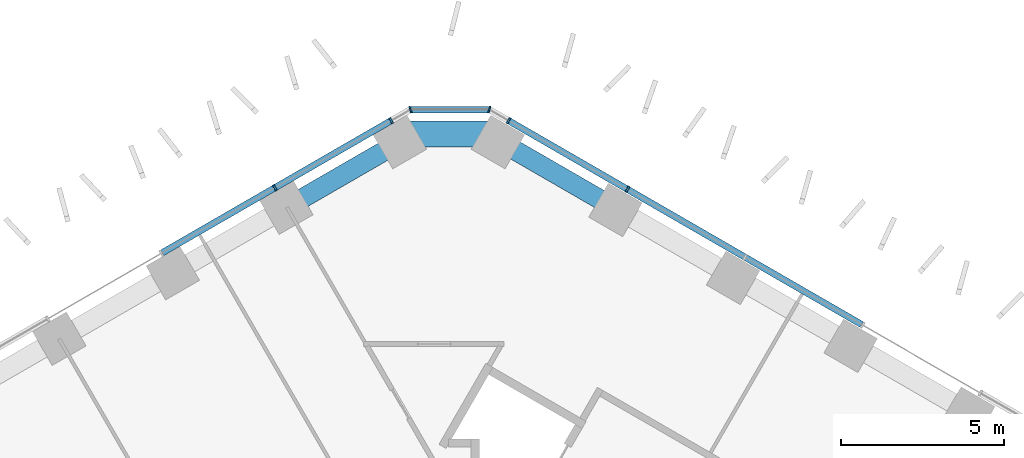
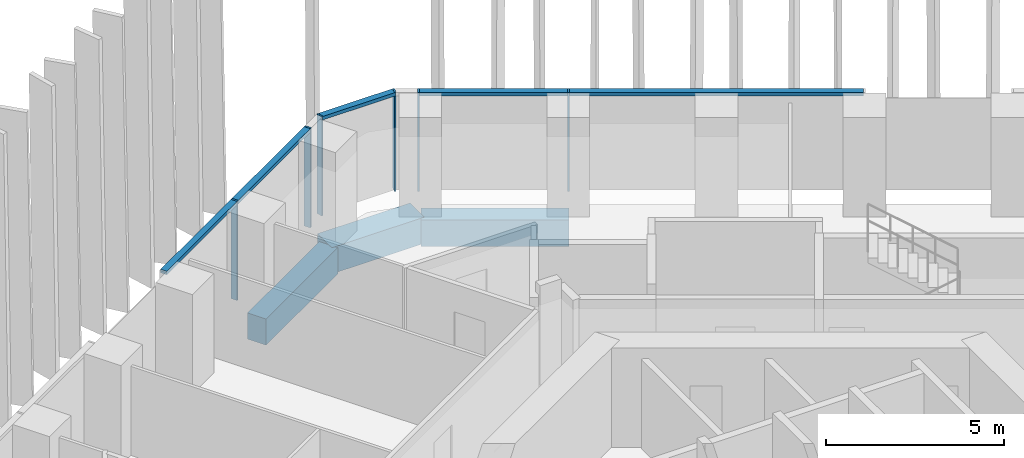
# One storey, part 6 of 20: 9 members, 3 beams, 3 elements without a shape of their own.
"""IFC4 building model written with IfcOpenShell, lengths in metres."""

from ifc_helpers import new_model, si_unit, direction, frame, origin, origin_2d, place, context, subcontext, project, spatial, rectangle, extrude, material, layer, layer_set, material_profile, profile_set, type_object, element, aggregate, save


model = new_model("IFC4")

# Units and contexts
model_context = context("Model", 3, precision=1e-05, world=origin(), true_north=direction((0.0, 1.0)))
body_context = subcontext(model_context, "Body", "Model", "MODEL_VIEW")
ifc_project = project(units=[si_unit("LENGTHUNIT", "METRE"), si_unit("AREAUNIT", "SQUARE_METRE"), si_unit("VOLUMEUNIT", "CUBIC_METRE"), si_unit("PLANEANGLEUNIT", "RADIAN"), si_unit("MASSUNIT", "GRAM", prefix="KILO")], contexts=[model_context])

# Site, building, storey
site_placement = place(None, origin())
site = spatial("IfcSite", under=ifc_project, at=site_placement, CompositionType="ELEMENT")
building_placement = place(site_placement, origin())
building = spatial("IfcBuilding", under=site, at=building_placement, Name="Ayvan Gate Tower", CompositionType="ELEMENT")
storey_placement = place(building_placement, frame((0.0, 0.0, 35.699951171875)))
storey = spatial("IfcBuildingStorey", under=building, at=storey_placement, Name="L08", CompositionType="ELEMENT", Elevation=35.699951171875)

# Beams
ifc_material_1 = material(Name="Concrete C40/50", Category="concrete")
ifc_material_profile_1 = material_profile(ifc_material_1, rectangle(XDim=0.800048828125, YDim=0.89990234375, at=origin_2d()), Name="RC 800x900")
ifc_profile_set_1 = profile_set([ifc_material_profile_1], Name="Concrete C40/50")
beam_type_1 = type_object("IfcBeamType", Name="Corner spandrel beam RC 800x900 C40/50", PredefinedType="BEAM", material=ifc_profile_set_1)
beam_1_placement = place(storey_placement, frame((1.3359375, 23.25927734375, -0.800048828125), z_axis=(-1.0, 0.0, 0.0), x_axis=(0.0, -1.0, 0.0)))
element("IfcBeam", 1, at=beam_1_placement, inside=storey, type_object=beam_type_1, Name="SB-L08-12", PredefinedType="BEAM", context=body_context, shape_type="SweptSolid", body=[
    extrude(rectangle(XDim=0.800048828125, YDim=0.89990234375, at=origin_2d()), origin(), (0.0, 0.0, 1.0), 3.0),
])
ifc_material_profile_2 = material_profile(ifc_material_1, rectangle(XDim=0.60009765625, YDim=0.89990234375, at=origin_2d()), Name="RC 600x900")
ifc_profile_set_2 = profile_set([ifc_material_profile_2], Name="Concrete C40/50")
beam_type_2 = type_object("IfcBeamType", Name="Spandrel beam RC 600x900 C40/50", PredefinedType="BEAM", material=ifc_profile_set_2)
beam_2_placement = place(storey_placement, frame((4.92578125, 20.966796875, -0.800048828125), z_axis=(-0.866034543039, 0.499984170012, 0.0), x_axis=(-0.499984170012, -0.866034543039, 0.0)))
element("IfcBeam", 2, at=beam_2_placement, inside=storey, type_object=beam_type_2, Name="SB-L08-11", PredefinedType="BEAM", context=body_context, shape_type="SweptSolid", body=[
    extrude(rectangle(XDim=0.60009765625, YDim=0.89990234375, at=origin_2d()), origin(), (0.0, 0.0, 1.0), 4.145263671875),
])
beam_3_placement = place(storey_placement, frame((-1.6640625, 23.039306640625, -0.800048828125), z_axis=(-0.866002034136, -0.500040475235, 0.0), x_axis=(0.500040475235, -0.866002034136, 0.0)))
element("IfcBeam", 3, at=beam_3_placement, inside=storey, type_object=beam_type_2, Name="SB-L08-13", PredefinedType="BEAM", context=body_context, shape_type="SweptSolid", body=[
    extrude(rectangle(XDim=0.60009765625, YDim=0.89990234375, at=origin_2d()), origin(), (0.0, 0.0, 1.0), 4.031494140625),
])

# Curtain wall, members
ifc_material_2 = material(Name="Bronze anodised aluminium", Category="aluminium")
ifc_layer_1 = layer(ifc_material_2, 0.199951171875)
ifc_layer_set_1 = layer_set([ifc_layer_1], Name="Bronze anodised aluminium")
curtain_wall_type_1 = type_object("IfcCurtainWallType", Name="Stick curtain wall CW-1", PredefinedType="NOTDEFINED", material=ifc_layer_set_1)
curtain_wall_1_placement = place(storey_placement, origin())
curtain_wall_1 = element("IfcCurtainWall", 4, at=curtain_wall_1_placement, inside=storey, type_object=curtain_wall_type_1, Name="Stick curtain wall CW-1 L08", PredefinedType="NOTDEFINED")
ifc_material_profile_3 = material_profile(ifc_material_2, rectangle(XDim=0.199951171875, YDim=0.06005859375, at=origin_2d()), Name="Stick curtain wall CW-1 mullion 200 x 60")
ifc_profile_set_3 = profile_set([ifc_material_profile_3], Name="Bronze anodised aluminium")
member_type_1 = type_object("IfcMemberType", Name="Stick curtain wall CW-1 mullion 200 x 60", PredefinedType="MULLION", material=ifc_profile_set_3)
member_1_placement = place(storey_placement, frame((-1.97412109375, 23.66845703125, 0.0), z_axis=(0.0, 0.0, 1.0), x_axis=(-0.5, 0.866025403784, 0.0)))
member_1 = element("IfcMember", 5, at=member_1_placement, type_object=member_type_1, Name="CW-1 mullion 1", PredefinedType="MULLION", context=body_context, shape_type="SweptSolid", body=[
    extrude(rectangle(XDim=0.199951171875, YDim=0.06005859375, at=origin_2d()), origin(), (0.0, 0.0, 1.0), 3.400146484375),
])
member_2_placement = place(storey_placement, frame((-5.53173828125, 21.614501953125, 0.0), z_axis=(0.0, 0.0, 1.0), x_axis=(-0.5, 0.866025403784, 0.0)))
member_2 = element("IfcMember", 6, at=member_2_placement, type_object=member_type_1, Name="CW-1 mullion 2", PredefinedType="MULLION", context=body_context, shape_type="SweptSolid", body=[
    extrude(rectangle(XDim=0.199951171875, YDim=0.06005859375, at=origin_2d()), origin(), (0.0, 0.0, 1.0), 3.400146484375),
])

curtain_wall_2_placement = place(storey_placement, origin())
curtain_wall_2 = element("IfcCurtainWall", 7, at=curtain_wall_2_placement, inside=storey, type_object=curtain_wall_type_1, Name="Stick curtain wall CW-1 L08", PredefinedType="NOTDEFINED")
member_3_placement = place(storey_placement, frame((5.25537109375, 21.568603515625, 0.0), z_axis=(0.0, 0.0, 1.0), x_axis=(0.5, 0.866025403784, 0.0)))
member_3 = element("IfcMember", 8, at=member_3_placement, type_object=member_type_1, Name="CW-1 mullion 5", PredefinedType="MULLION", context=body_context, shape_type="SweptSolid", body=[
    extrude(rectangle(XDim=0.199951171875, YDim=0.06005859375, at=origin_2d()), origin(), (0.0, 0.0, 1.0), 3.400146484375),
])
member_4_placement = place(storey_placement, frame((1.6181640625, 23.66845703125, 0.0), z_axis=(0.0, 0.0, 1.0), x_axis=(0.5, 0.866025403784, 0.0)))
member_4 = element("IfcMember", 9, at=member_4_placement, type_object=member_type_1, Name="CW-1 mullion 6", PredefinedType="MULLION", context=body_context, shape_type="SweptSolid", body=[
    extrude(rectangle(XDim=0.199951171875, YDim=0.06005859375, at=origin_2d()), origin(), (0.0, 0.0, 1.0), 3.400146484375),
])

# Member
ifc_material_profile_4 = material_profile(ifc_material_2, rectangle(XDim=0.199951171875, YDim=0.1201171875, at=origin_2d()), Name="Stick curtain wall CW-1 transom 200 x 120")
ifc_profile_set_4 = profile_set([ifc_material_profile_4], Name="Bronze anodised aluminium")
member_type_2 = type_object("IfcMemberType", Name="Stick curtain wall CW-1 transom 200 x 120", PredefinedType="USERDEFINED", material=ifc_profile_set_4)
member_5_placement = place(storey_placement, frame((-1.97412109375, 23.66845703125, 3.340087890625), z_axis=(-0.866031789557, -0.499988939354, 0.0), x_axis=(0.499988939354, -0.866031789557, 0.0)))
member_5 = element("IfcMember", 10, at=member_5_placement, type_object=member_type_2, Name="CW-1 transom 1", ObjectType="TRANSOM", PredefinedType="USERDEFINED", context=body_context, shape_type="SweptSolid", body=[
    extrude(rectangle(XDim=0.199951171875, YDim=0.1201171875, at=origin_2d()), origin(), (0.0, 0.0, 1.0), 8.089111328125),
])

aggregate(curtain_wall_1, [member_1, member_2, member_5])

member_6_placement = place(storey_placement, frame((12.4267578125, 17.427978515625, 3.340087890625), z_axis=(-0.866020754537, 0.500008052646, 0.0), x_axis=(-0.500008052646, -0.866020754537, 0.0)))
member_6 = element("IfcMember", 11, at=member_6_placement, type_object=member_type_2, Name="CW-1 transom 2", ObjectType="TRANSOM", PredefinedType="USERDEFINED", context=body_context, shape_type="SweptSolid", body=[
    extrude(rectangle(XDim=0.199951171875, YDim=0.1201171875, at=origin_2d()), origin(), (0.0, 0.0, 1.0), 12.480712890625),
])

aggregate(curtain_wall_2, [member_3, member_4, member_6])

# Curtain wall, members
ifc_layer_2 = layer(ifc_material_2, 0.199951171875)
ifc_layer_set_2 = layer_set([ifc_layer_2], Name="Bronze anodised aluminium")
curtain_wall_type_2 = type_object("IfcCurtainWallType", Name="Stick curtain wall CW-6", PredefinedType="NOTDEFINED", material=ifc_layer_set_2)
curtain_wall_3_placement = place(storey_placement, origin())
curtain_wall_3 = element("IfcCurtainWall", 12, at=curtain_wall_3_placement, inside=storey, type_object=curtain_wall_type_2, Name="Stick curtain wall CW-6 L08", PredefinedType="NOTDEFINED")
ifc_material_profile_5 = material_profile(ifc_material_2, rectangle(XDim=0.199951171875, YDim=0.050048828125, at=origin_2d()), Name="Stick curtain wall CW-6 mullion 200 x 50")
ifc_profile_set_5 = profile_set([ifc_material_profile_5], Name="Bronze anodised aluminium")
member_type_3 = type_object("IfcMemberType", Name="Stick curtain wall CW-6 mullion 200 x 50", PredefinedType="MULLION", material=ifc_profile_set_5)
member_7_placement = place(storey_placement, frame((1.029296875, 24.008544921875, 0.0), z_axis=(0.0, 0.0, 1.0), x_axis=(0.258819045103, 0.965925826289, 0.0)))
member_7 = element("IfcMember", 13, at=member_7_placement, type_object=member_type_3, Name="CW-6 mullion 2", PredefinedType="MULLION", context=body_context, shape_type="SweptSolid", body=[
    extrude(rectangle(XDim=0.199951171875, YDim=0.050048828125, at=origin_2d()), origin(), (0.0, 0.0, 1.0), 3.400146484375),
])
member_8_placement = place(storey_placement, frame((-1.38525390625, 24.008544921875, 0.0), z_axis=(0.0, 0.0, 1.0), x_axis=(-0.258819045103, 0.965925826289, 0.0)))
member_8 = element("IfcMember", 14, at=member_8_placement, type_object=member_type_3, Name="CW-6 mullion 3", PredefinedType="MULLION", context=body_context, shape_type="SweptSolid", body=[
    extrude(rectangle(XDim=0.199951171875, YDim=0.050048828125, at=origin_2d()), origin(), (0.0, 0.0, 1.0), 3.400146484375),
])
ifc_material_profile_6 = material_profile(ifc_material_2, rectangle(XDim=0.199951171875, YDim=0.1201171875, at=origin_2d()), Name="Stick curtain wall CW-6 transom 200 x 120")
ifc_profile_set_6 = profile_set([ifc_material_profile_6], Name="Bronze anodised aluminium")
member_type_4 = type_object("IfcMemberType", Name="Stick curtain wall CW-6 transom 200 x 120", PredefinedType="USERDEFINED", material=ifc_profile_set_6)
member_9_placement = place(storey_placement, frame((1.004150390625, 24.008544921875, 3.340087890625), z_axis=(-1.0, 0.0, 0.0), x_axis=(0.0, -1.0, 0.0)))
member_9 = element("IfcMember", 15, at=member_9_placement, type_object=member_type_4, Name="CW-6 transom 2", ObjectType="TRANSOM", PredefinedType="USERDEFINED", context=body_context, shape_type="SweptSolid", body=[
    extrude(rectangle(XDim=0.199951171875, YDim=0.1201171875, at=origin_2d()), origin(), (0.0, 0.0, 1.0), 2.364501953125),
])
aggregate(curtain_wall_3, [member_7, member_8, member_9])

save(model, "model.ifc")
